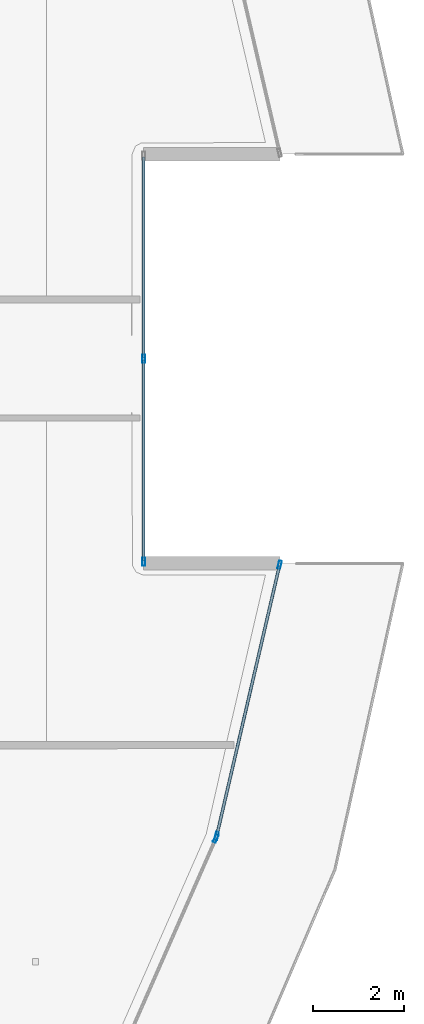
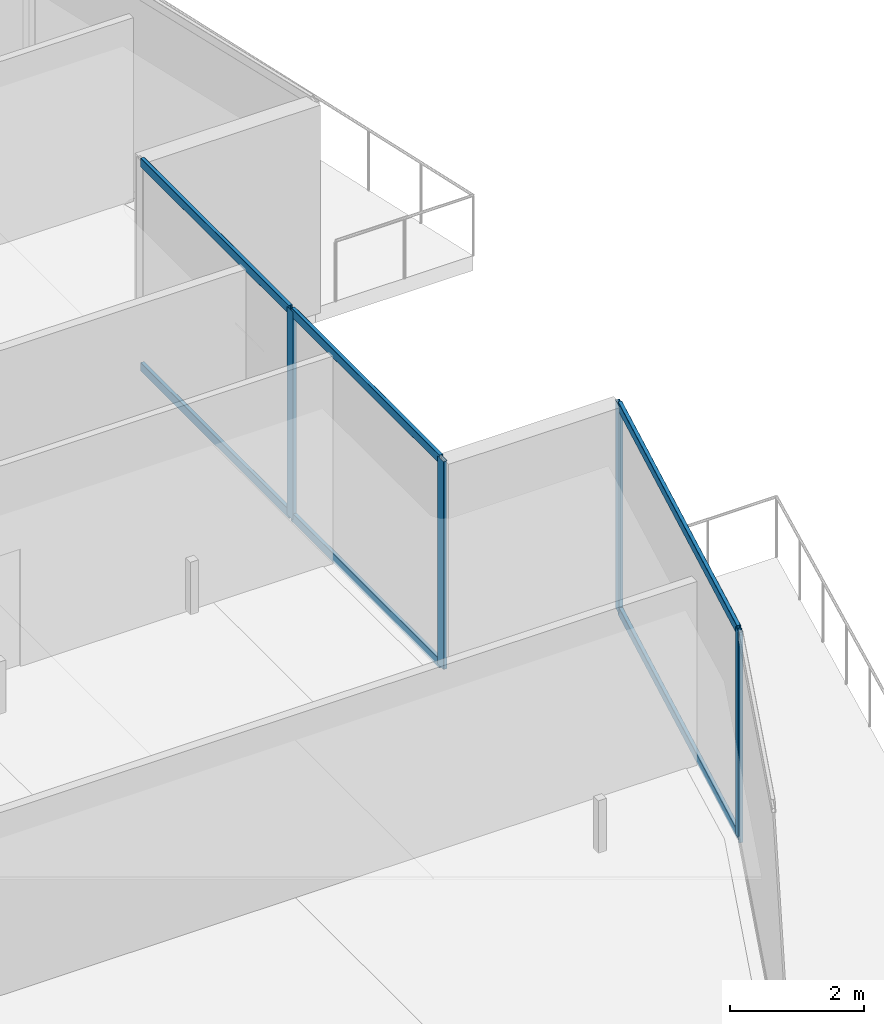
# One storey, part 14 of 37: 11 members, 3 elements without a shape of their own.
"""IFC4 building model written with IfcOpenShell, lengths in metres."""

import ifcopenshell
import ifcopenshell.guid

model = None  # the IFC model being written
_history = None  # IfcOwnerHistory: only IFC2X3 demands one
_inside = {}  # id of a spatial element -> (the spatial element, [elements in it])
_under = {}  # id of a project, library or spatial element -> (it, [spatial elements below it])
_declared = {}  # id of a project -> (the project, [libraries it declares])
_typed = {}  # id of a type object -> (the type object, [elements of that type])
_made_of = {}  # id of a material, layer set ... -> (it, [elements and type objects made of it])


def new_model(schema):
    """Start an empty IFC model of exactly this schema.

    Asked for "IFC4X3", IfcOpenShell would pick the latest addendum, in which some entities
    have other attributes; the version numbers below select the first issue.
    IFC2X3 requires an IfcOwnerHistory on every rooted entity: one is made here for all.
    """
    global model, _history
    if schema == "IFC4X3":
        model = ifcopenshell.file(schema_version=(4, 3, 0, 0))
    else:
        model = ifcopenshell.file(schema=schema)
    _inside.clear()
    _under.clear()
    _declared.clear()
    _typed.clear()
    _made_of.clear()
    _history = None
    if model.schema == "IFC2X3":
        org = make("IfcOrganization", Name="unknown")
        user = make(
            "IfcPersonAndOrganization",
            ThePerson=make("IfcPerson", FamilyName="unknown"),
            TheOrganization=org,
        )
        app = make(
            "IfcApplication",
            ApplicationDeveloper=org,
            Version="unknown",
            ApplicationFullName="unknown",
            ApplicationIdentifier="unknown",
        )
        _history = make(
            "IfcOwnerHistory",
            OwningUser=user,
            OwningApplication=app,
            ChangeAction="ADDED",
            CreationDate=0,
        )
    return model


def make(cls, **values):
    """One entity of the class cls with the attributes given. An attribute that is None is left unset."""
    return model.create_entity(
        cls, **{name: value for name, value in values.items() if value is not None}
    )


def rooted(cls, **values):
    """An entity with a GlobalId (a new one), such as an element, a storey or a relation."""
    return make(cls, GlobalId=ifcopenshell.guid.new(), OwnerHistory=_history, **values)


def si_unit(unit_type, name, prefix=None):
    """IfcSIUnit, for example si_unit("LENGTHUNIT", "METRE", prefix="MILLI")."""
    return make("IfcSIUnit", UnitType=unit_type, Prefix=prefix, Name=name)


def assignment(units):
    """IfcUnitAssignment: the units of a project."""
    return None if units is None else make("IfcUnitAssignment", Units=units)


def point(xyz):
    """IfcCartesianPoint."""
    return None if xyz is None else make("IfcCartesianPoint", Coordinates=xyz)


def direction(xyz):
    """IfcDirection."""
    return None if xyz is None else make("IfcDirection", DirectionRatios=xyz)


def frame(location, z_axis=None, x_axis=None):
    """IfcAxis2Placement3D, a coordinate frame: its origin and axes. An axis left out is left unset."""
    return make(
        "IfcAxis2Placement3D",
        Location=point(location),
        Axis=direction(z_axis),
        RefDirection=direction(x_axis),
    )


def frame_2d(location, x_axis=None):
    """IfcAxis2Placement2D, a coordinate frame in the plane: its origin and x axis."""
    return make(
        "IfcAxis2Placement2D", Location=point(location), RefDirection=direction(x_axis)
    )


def origin():
    """The frame at (0, 0, 0) with its axes left unset."""
    return frame((0.0, 0.0, 0.0))


def origin_2d():
    """The frame at (0, 0) in the plane with its x axis left unset."""
    return frame_2d((0.0, 0.0))


def place(relative_to, where):
    """IfcLocalPlacement: puts the frame where relative to a parent placement (None: the world)."""
    return make(
        "IfcLocalPlacement", PlacementRelTo=relative_to, RelativePlacement=where
    )


def context(
    kind, dimensions, precision=None, world=None, true_north=None, identifier=None
):
    """IfcGeometricRepresentationContext, for example the 3D "Model" context."""
    return make(
        "IfcGeometricRepresentationContext",
        ContextIdentifier=identifier,
        ContextType=kind,
        CoordinateSpaceDimension=dimensions,
        Precision=precision,
        WorldCoordinateSystem=world,
        TrueNorth=true_north,
    )


def subcontext(parent, identifier, kind, view, scale=None):
    """IfcGeometricRepresentationSubContext, for example "Body" below "Model"."""
    return make(
        "IfcGeometricRepresentationSubContext",
        ContextIdentifier=identifier,
        ContextType=kind,
        ParentContext=parent,
        TargetScale=scale,
        TargetView=view,
    )


def project(units=None, contexts=None):
    """IfcProject with its units and contexts."""
    return rooted(
        "IfcProject",
        Name="project",
        RepresentationContexts=contexts,
        UnitsInContext=assignment(units),
    )


def spatial(cls, under=None, at=None, **own):
    """A site, building, storey or space (cls), placed at a placement, below another one or the project."""
    s = rooted(cls, ObjectPlacement=at, **own)
    if under is not None:
        _under.setdefault(under.id(), (under, []))[1].append(s)
    return s


def profile(cls, at=None, kind="AREA", **sizes):
    """A parametric profile (cls). Its sizes go by their IFC names, for example OverallWidth=200.0."""
    return make(cls, ProfileType=kind, Position=at, **sizes)


def hollow_rectangle(**sizes):
    """IfcRectangleHollowProfileDef."""
    return profile("IfcRectangleHollowProfileDef", **sizes)


def extrude(swept, where, along, depth):
    """IfcExtrudedAreaSolid: the profile swept, set in the frame where, extruded along a direction by depth."""
    return make(
        "IfcExtrudedAreaSolid",
        SweptArea=swept,
        Position=where,
        ExtrudedDirection=direction(along),
        Depth=depth,
    )


def shape(context_of_items, identifier, shape_type, items):
    """IfcShapeRepresentation: the items that make up one representation, for example the "Body"."""
    return make(
        "IfcShapeRepresentation",
        ContextOfItems=context_of_items,
        RepresentationIdentifier=identifier,
        RepresentationType=shape_type,
        Items=items,
    )


def material(Name=None, Category=None):
    """IfcMaterial."""
    return make("IfcMaterial", Name=Name, Category=Category)


def layer(
    of_material, thickness, ventilated=None, Name=None, Category=None, Priority=None
):
    """IfcMaterialLayer: one layer of a wall or slab, of a material (None: an air gap)."""
    return make(
        "IfcMaterialLayer",
        Material=of_material,
        LayerThickness=thickness,
        IsVentilated=ventilated,
        Name=Name,
        Category=Category,
        Priority=Priority,
    )


def layer_set(layers, Name=None):
    """IfcMaterialLayerSet."""
    return make("IfcMaterialLayerSet", MaterialLayers=layers, LayerSetName=Name)


def material_profile(
    of_material, cross_section, Name=None, Category=None, Priority=None
):
    """IfcMaterialProfile: a cross section and its material."""
    return make(
        "IfcMaterialProfile",
        Name=Name,
        Material=of_material,
        Profile=cross_section,
        Priority=Priority,
        Category=Category,
    )


def profile_set(profiles, Name=None, composite=None):
    """IfcMaterialProfileSet."""
    return make(
        "IfcMaterialProfileSet",
        Name=Name,
        MaterialProfiles=profiles,
        CompositeProfile=composite,
    )


def made_of(thing, what):
    """Note that an element or type object is made of a material, layer set ...; save() writes the relation."""
    if what is not None:
        _made_of.setdefault(what.id(), (what, []))[1].append(thing)
    return thing


def type_object(cls, material=None, **own):
    """A type object (cls), such as IfcWallType, which elements share."""
    return made_of(rooted(cls, **own), material)


def element(
    cls,
    number,
    at=None,
    inside=None,
    cuts=None,
    type_object=None,
    material=None,
    context=None,
    identifier="Body",
    shape_type=None,
    held_by="IfcProductDefinitionShape",
    body=None,
    shapes=None,
    **own,
):
    """One element of the class cls, such as IfcWall. Its Tag is "e" and its number.

    at: its placement. inside: the storey or other place that contains it. cuts: it is an
    opening in that element (IfcRelVoidsElement). A single representation is given by context,
    identifier, shape_type and body (its items); several are given by shapes. held_by: the class
    of the entity that holds the representations. save() writes the other relations.
    """
    e = rooted(cls, Tag="e%d" % number, ObjectPlacement=at, **own)
    if body is not None:
        shapes = [shape(context, identifier, shape_type, body)]
    if shapes is not None:
        e.Representation = make(held_by, Representations=shapes)
    if inside is not None:
        _inside.setdefault(inside.id(), (inside, []))[1].append(e)
    if cuts is not None:
        rooted(
            "IfcRelVoidsElement", RelatingBuildingElement=cuts, RelatedOpeningElement=e
        )
    if type_object is not None:
        _typed.setdefault(type_object.id(), (type_object, []))[1].append(e)
    return made_of(e, material)


def aggregate(whole, parts):
    """IfcRelAggregates: a whole, such as a stair, and the parts it consists of."""
    return rooted("IfcRelAggregates", RelatingObject=whole, RelatedObjects=parts)


def save(model, path):
    """Write the relations noted so far, then the file.

    IfcRelAggregates (storeys below a building ...), IfcRelContainedInSpatialStructure (elements
    in a storey), IfcRelDefinesByType, IfcRelAssociatesMaterial and IfcRelDeclares: one each for
    every whole, place, type object, material and project.
    """
    for whole, parts in _under.values():
        aggregate(whole, parts)
    for where, things in _inside.values():
        rooted(
            "IfcRelContainedInSpatialStructure",
            RelatedElements=things,
            RelatingStructure=where,
        )
    for kind, things in _typed.values():
        rooted("IfcRelDefinesByType", RelatedObjects=things, RelatingType=kind)
    for what, things in _made_of.values():
        rooted("IfcRelAssociatesMaterial", RelatedObjects=things, RelatingMaterial=what)
    for by, libraries in _declared.values():
        rooted("IfcRelDeclares", RelatingContext=by, RelatedDefinitions=libraries)
    model.write(path)


model = new_model("IFC4")

# Units and contexts
model_context = context("Model", 3, precision=1e-05, world=origin(), true_north=direction((0.0, 1.0)))
body_context = subcontext(model_context, "Body", "Model", "MODEL_VIEW")
ifc_project = project(units=[si_unit("LENGTHUNIT", "METRE"), si_unit("AREAUNIT", "SQUARE_METRE"), si_unit("VOLUMEUNIT", "CUBIC_METRE"), si_unit("PLANEANGLEUNIT", "RADIAN"), si_unit("MASSUNIT", "GRAM", prefix="KILO")], contexts=[model_context])

# Site, building, storey
site_placement = place(None, origin())
site = spatial("IfcSite", under=ifc_project, at=site_placement, CompositionType="ELEMENT")
building_placement = place(site_placement, origin())
building = spatial("IfcBuilding", under=site, at=building_placement, Name="Qorvath Tower", CompositionType="ELEMENT")
storey_placement = place(building_placement, frame((0.0, 0.0, 196.949951171875)))
storey = spatial("IfcBuildingStorey", under=building, at=storey_placement, Name="L45", CompositionType="ELEMENT", Elevation=196.949951171875)

# Curtain wall, member
ifc_material_1 = material(Name="Anodised aluminium and triple low-E glass", Category="aluminium")
ifc_layer = layer(ifc_material_1, 0.179931640625)
ifc_layer_set = layer_set([ifc_layer], Name="CW-SYS-3")
curtain_wall_type = type_object("IfcCurtainWallType", Name="CW-SYS-3", PredefinedType="NOTDEFINED", material=ifc_layer_set)
curtain_wall_1_placement = place(storey_placement, origin())
curtain_wall_1 = element("IfcCurtainWall", 1, at=curtain_wall_1_placement, inside=storey, type_object=curtain_wall_type, Name="Curtain Wall CW-3 CW-T-L45-6.1", PredefinedType="NOTDEFINED")
ifc_material_2 = material(Name="Anodised aluminium 6063-T6", Category="aluminium")
ifc_material_profile_1 = material_profile(ifc_material_2, hollow_rectangle(XDim=0.06494140625, YDim=0.179931640625, WallThickness=0.00341796875, InnerFilletRadius=0.00341796875, OuterFilletRadius=0.007080078125, at=origin_2d()), Name="CWM 180x65")
ifc_profile_set_1 = profile_set([ifc_material_profile_1], Name="Anodised aluminium 6063-T6")
member_type_1 = type_object("IfcMemberType", Name="CWM-180", PredefinedType="MULLION", material=ifc_profile_set_1)
member_1_placement = place(storey_placement, frame((0.2646484375, -10.603515625, 0.0), z_axis=(0.0, 0.0, 1.0), x_axis=(-0.915498802884, 0.402320695364, 0.0)))
member_1 = element("IfcMember", 2, at=member_1_placement, type_object=member_type_1, Name="CW-3 mullion 2", PredefinedType="MULLION", context=body_context, shape_type="SweptSolid", body=[
    extrude(hollow_rectangle(XDim=0.06494140625, YDim=0.179931640625, WallThickness=0.00341796875, InnerFilletRadius=0.00341796875, OuterFilletRadius=0.007080078125, at=origin_2d()), origin(), (0.0, 0.0, 1.0), 3.780029296875),
])
aggregate(curtain_wall_1, [member_1])

# Curtain wall, members
curtain_wall_2_placement = place(storey_placement, origin())
curtain_wall_2 = element("IfcCurtainWall", 3, at=curtain_wall_2_placement, inside=storey, type_object=curtain_wall_type, Name="Curtain Wall CW-3 CW-T-L45-7.1", PredefinedType="NOTDEFINED")
member_2_placement = place(storey_placement, frame((0.28515625, -10.5419921875, 0.0), z_axis=(0.0, 0.0, 1.0), x_axis=(-0.974064216624, 0.226271743469, 0.0)))
member_2 = element("IfcMember", 4, at=member_2_placement, type_object=member_type_1, Name="CW-3 mullion 1", PredefinedType="MULLION", context=body_context, shape_type="SweptSolid", body=[
    extrude(hollow_rectangle(XDim=0.06494140625, YDim=0.179931640625, WallThickness=0.00341796875, InnerFilletRadius=0.00341796875, OuterFilletRadius=0.007080078125, at=origin_2d()), origin(), (0.0, 0.0, 1.0), 3.780029296875),
])
member_3_placement = place(storey_placement, frame((1.6767578125, -4.551513671875, 0.0), z_axis=(0.0, 0.0, 1.0), x_axis=(-0.974064216624, 0.226271743469, 0.0)))
member_3 = element("IfcMember", 5, at=member_3_placement, type_object=member_type_1, Name="CW-3 mullion 2", PredefinedType="MULLION", context=body_context, shape_type="SweptSolid", body=[
    extrude(hollow_rectangle(XDim=0.06494140625, YDim=0.179931640625, WallThickness=0.00341796875, InnerFilletRadius=0.00341796875, OuterFilletRadius=0.007080078125, at=origin_2d()), origin(), (0.0, 0.0, 1.0), 3.780029296875),
])

curtain_wall_3_placement = place(storey_placement, origin())
curtain_wall_3 = element("IfcCurtainWall", 6, at=curtain_wall_3_placement, inside=storey, type_object=curtain_wall_type, Name="Curtain Wall CW-3 CW-T-L45-9.1", PredefinedType="NOTDEFINED")
member_4_placement = place(storey_placement, frame((-1.3291015625, -4.4873046875, 0.0), z_axis=(0.0, 0.0, 1.0), x_axis=(-1.0, 0.0, 0.0)))
member_4 = element("IfcMember", 7, at=member_4_placement, type_object=member_type_1, Name="CW-3 mullion 1", PredefinedType="MULLION", context=body_context, shape_type="SweptSolid", body=[
    extrude(hollow_rectangle(XDim=0.06494140625, YDim=0.179931640625, WallThickness=0.00341796875, InnerFilletRadius=0.00341796875, OuterFilletRadius=0.007080078125, at=origin_2d()), origin(), (0.0, 0.0, 1.0), 3.780029296875),
])
member_5_placement = place(storey_placement, frame((-1.3291015625, 0.0, 0.0), z_axis=(0.0, 0.0, 1.0), x_axis=(-1.0, 0.0, 0.0)))
member_5 = element("IfcMember", 8, at=member_5_placement, type_object=member_type_1, Name="CW-3 mullion 2", PredefinedType="MULLION", context=body_context, shape_type="SweptSolid", body=[
    extrude(hollow_rectangle(XDim=0.06494140625, YDim=0.179931640625, WallThickness=0.00341796875, InnerFilletRadius=0.00341796875, OuterFilletRadius=0.007080078125, at=origin_2d()), origin(), (0.0, 0.0, 1.0), 3.780029296875),
])

# Member
ifc_material_3 = material(Name="Anodised aluminium 6063-T6", Category="aluminium")
ifc_material_profile_2 = material_profile(ifc_material_3, hollow_rectangle(XDim=0.06494140625, YDim=0.159912109375, WallThickness=0.00341796875, InnerFilletRadius=0.00341796875, OuterFilletRadius=0.007080078125, at=origin_2d()), Name="CWT 160x65")
ifc_profile_set_2 = profile_set([ifc_material_profile_2], Name="Anodised aluminium 6063-T6")
member_type_2 = type_object("IfcMemberType", Name="CWT-160", PredefinedType="USERDEFINED", material=ifc_profile_set_2)
member_6_placement = place(storey_placement, frame((0.29248046875, -10.510498046875, 0.032470703125), z_axis=(0.226274499404, 0.974063576426, 0.0), x_axis=(-0.974063576426, 0.226274499404, 0.0)))
member_6 = element("IfcMember", 9, at=member_6_placement, type_object=member_type_2, Name="CW-3 transom 1.1", ObjectType="TRANSOM", PredefinedType="USERDEFINED", context=body_context, shape_type="SweptSolid", body=[
    extrude(hollow_rectangle(XDim=0.06494140625, YDim=0.159912109375, WallThickness=0.00341796875, InnerFilletRadius=0.00341796875, OuterFilletRadius=0.007080078125, at=origin_2d()), origin(), (0.0, 0.0, 1.0), 6.085205078125),
])

member_7_placement = place(storey_placement, frame((0.29248046875, -10.510498046875, 3.74755859375), z_axis=(0.226274499404, 0.974063576426, 0.0), x_axis=(-0.974063576426, 0.226274499404, 0.0)))
member_7 = element("IfcMember", 10, at=member_7_placement, type_object=member_type_2, Name="CW-3 transom 1.2", ObjectType="TRANSOM", PredefinedType="USERDEFINED", context=body_context, shape_type="SweptSolid", body=[
    extrude(hollow_rectangle(XDim=0.06494140625, YDim=0.159912109375, WallThickness=0.00341796875, InnerFilletRadius=0.00341796875, OuterFilletRadius=0.007080078125, at=origin_2d()), origin(), (0.0, 0.0, 1.0), 6.085205078125),
])

aggregate(curtain_wall_2, [member_2, member_3, member_6, member_7])

member_8_placement = place(storey_placement, frame((-1.3291015625, -4.454833984375, 0.032470703125), z_axis=(0.0, 1.0, 0.0), x_axis=(-1.0, 0.0, 0.0)))
member_8 = element("IfcMember", 11, at=member_8_placement, type_object=member_type_2, Name="CW-3 transom 1.1", ObjectType="TRANSOM", PredefinedType="USERDEFINED", context=body_context, shape_type="SweptSolid", body=[
    extrude(hollow_rectangle(XDim=0.06494140625, YDim=0.159912109375, WallThickness=0.00341796875, InnerFilletRadius=0.00341796875, OuterFilletRadius=0.007080078125, at=origin_2d()), origin(), (0.0, 0.0, 1.0), 4.42236328125),
])

member_9_placement = place(storey_placement, frame((-1.3291015625, -4.454833984375, 3.74755859375), z_axis=(0.0, 1.0, 0.0), x_axis=(-1.0, 0.0, 0.0)))
member_9 = element("IfcMember", 12, at=member_9_placement, type_object=member_type_2, Name="CW-3 transom 1.2", ObjectType="TRANSOM", PredefinedType="USERDEFINED", context=body_context, shape_type="SweptSolid", body=[
    extrude(hollow_rectangle(XDim=0.06494140625, YDim=0.159912109375, WallThickness=0.00341796875, InnerFilletRadius=0.00341796875, OuterFilletRadius=0.007080078125, at=origin_2d()), origin(), (0.0, 0.0, 1.0), 4.42236328125),
])

member_10_placement = place(storey_placement, frame((-1.3291015625, 0.032470703125, 0.032470703125), z_axis=(0.0, 1.0, 0.0), x_axis=(-1.0, 0.0, 0.0)))
member_10 = element("IfcMember", 13, at=member_10_placement, type_object=member_type_2, Name="CW-3 transom 2.1", ObjectType="TRANSOM", PredefinedType="USERDEFINED", context=body_context, shape_type="SweptSolid", body=[
    extrude(hollow_rectangle(XDim=0.06494140625, YDim=0.159912109375, WallThickness=0.00341796875, InnerFilletRadius=0.00341796875, OuterFilletRadius=0.007080078125, at=origin_2d()), origin(), (0.0, 0.0, 1.0), 4.42236328125),
])

member_11_placement = place(storey_placement, frame((-1.3291015625, 0.032470703125, 3.74755859375), z_axis=(0.0, 1.0, 0.0), x_axis=(-1.0, 0.0, 0.0)))
member_11 = element("IfcMember", 14, at=member_11_placement, type_object=member_type_2, Name="CW-3 transom 2.2", ObjectType="TRANSOM", PredefinedType="USERDEFINED", context=body_context, shape_type="SweptSolid", body=[
    extrude(hollow_rectangle(XDim=0.06494140625, YDim=0.159912109375, WallThickness=0.00341796875, InnerFilletRadius=0.00341796875, OuterFilletRadius=0.007080078125, at=origin_2d()), origin(), (0.0, 0.0, 1.0), 4.42236328125),
])

aggregate(curtain_wall_3, [member_4, member_5, member_8, member_9, member_10, member_11])

save(model, "model.ifc")
